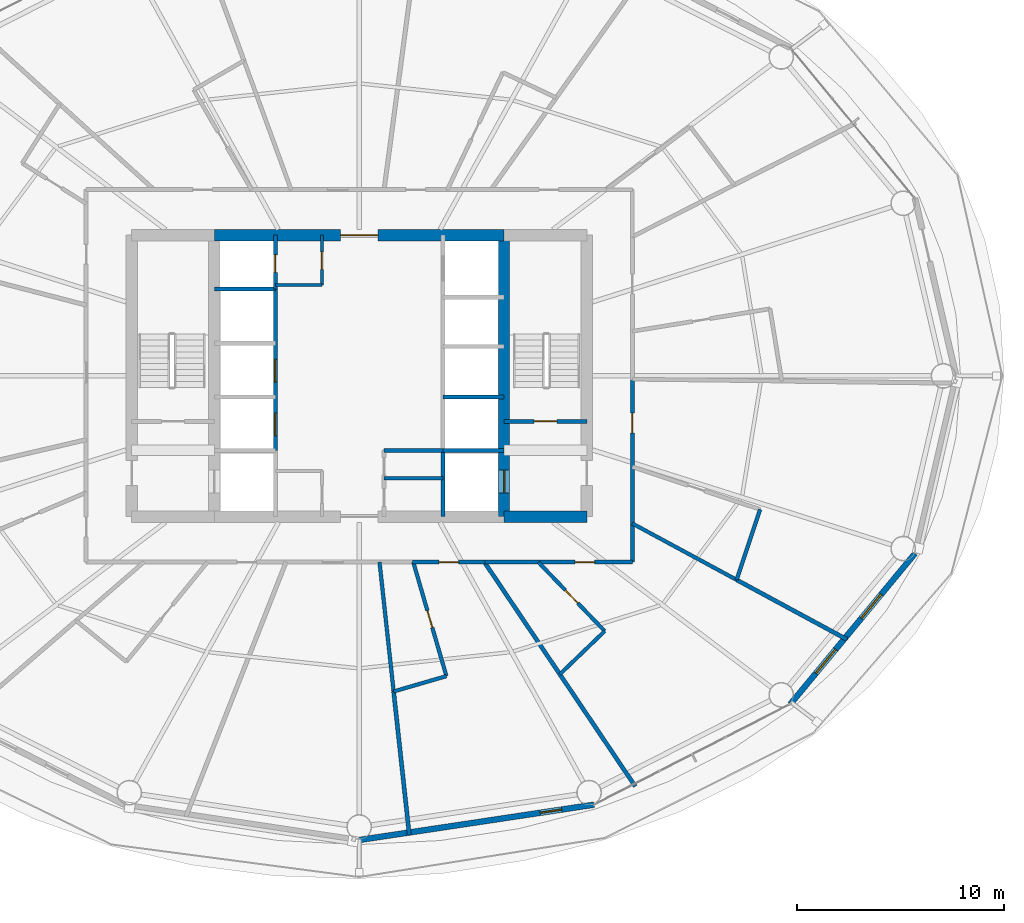
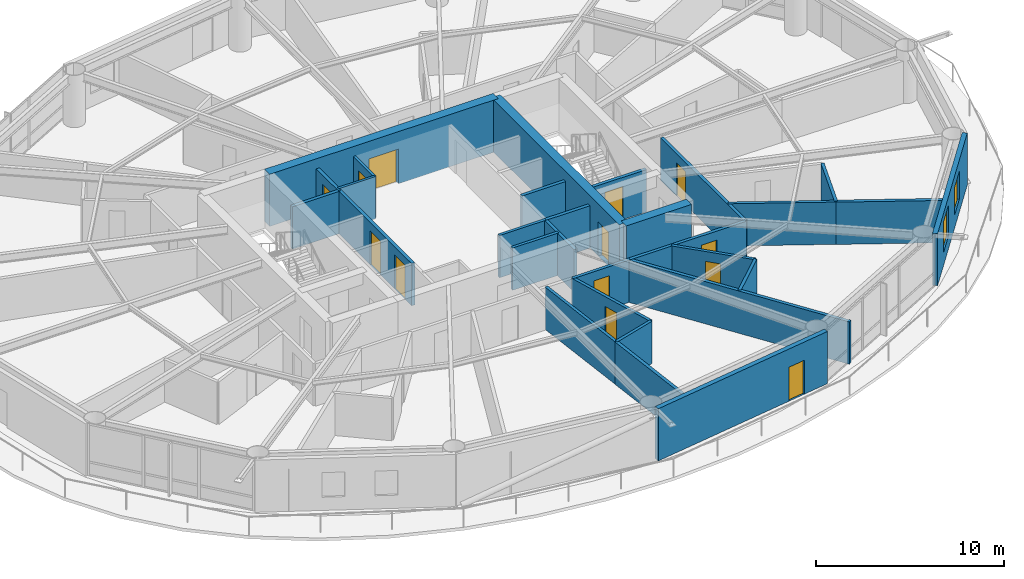
# One storey, part 19 of 24: 29 walls, 13 doors, 2 windows, 15 openings.
"""IFC4 building model written with IfcOpenShell, lengths in metres."""

from ifc_helpers import new_model, si_unit, direction, frame, frame_2d, origin, place, context, subcontext, project, spatial, rectangle, extrude, material, layer, layer_set, type_object, element, fill, save


model = new_model("IFC4")

# Units and contexts
model_context = context("Model", 3, precision=1e-05, world=origin(), true_north=direction((0.0, 1.0)))
body_context = subcontext(model_context, "Body", "Model", "MODEL_VIEW")
ifc_project = project(units=[si_unit("LENGTHUNIT", "METRE"), si_unit("AREAUNIT", "SQUARE_METRE"), si_unit("VOLUMEUNIT", "CUBIC_METRE"), si_unit("PLANEANGLEUNIT", "RADIAN"), si_unit("MASSUNIT", "GRAM", prefix="KILO")], contexts=[model_context])

# Site, building, storey
site_placement = place(None, origin())
site = spatial("IfcSite", under=ifc_project, at=site_placement, CompositionType="ELEMENT")
building_placement = place(site_placement, origin())
building = spatial("IfcBuilding", under=site, at=building_placement, Name="Sarneth Arch Tower", CompositionType="ELEMENT")
storey_placement = place(building_placement, frame((0.0, 0.0, 112.800048828125)))
storey = spatial("IfcBuildingStorey", under=building, at=storey_placement, Name="L28", CompositionType="ELEMENT", Elevation=112.800048828125)

# Wall
ifc_material_1 = material(Name="Concrete C60/75", Category="concrete")
ifc_layer_1 = layer(ifc_material_1, 0.550048828125)
ifc_layer_set_1 = layer_set([ifc_layer_1], Name="Concrete C60/75")
wall_type_1 = type_object("IfcWallType", Name="WALL-CORE-550", PredefinedType="SHEAR", material=ifc_layer_set_1)
wall_1_placement = place(storey_placement, frame((55.0, 35.199951171875, 0.0), z_axis=(0.0, 0.0, 1.0), x_axis=(1.0, 0.0, 0.0)))
element("IfcWall", 1, at=wall_1_placement, inside=storey, type_object=wall_type_1, Name="L28 Core shear wall S-E", PredefinedType="SHEAR", context=body_context, shape_type="SweptSolid", body=[
    extrude(rectangle(XDim=4.0, YDim=0.550048828125, at=frame_2d((2.0, 0.0))), origin(), (0.0, 0.0, 1.0), 3.3798828125),
])

# Wall, opening, door
wall_2_placement = place(storey_placement, frame((41.0, 48.800048828125, 0.0), z_axis=(0.0, 0.0, 1.0), x_axis=(1.0, 0.0, 0.0)))
wall_2 = element("IfcWall", 2, at=wall_2_placement, inside=storey, type_object=wall_type_1, Name="L28 Core shear wall N-M", PredefinedType="SHEAR", context=body_context, shape_type="SweptSolid", body=[
    extrude(rectangle(XDim=14.0, YDim=0.550048828125, at=frame_2d((7.0, 0.0))), origin(), (0.0, 0.0, 1.0), 3.3798828125),
])
opening_1_placement = place(wall_2_placement, frame((6.10009765625, 0.0, 0.0)))
opening_1 = element("IfcOpeningElement", 3, at=opening_1_placement, cuts=wall_2, Name="Opening FD-01", PredefinedType="OPENING", context=body_context, shape_type="SweptSolid", body=[
    extrude(rectangle(XDim=1.800048828125, YDim=2.25, at=frame_2d((0.89990234375, 1.125))), frame((0.0, 0.284912109375, 0.0), z_axis=(0.0, -1.0, 0.0), x_axis=(1.0, 0.0, 0.0)), (0.0, 0.0, 1.0), 0.570068359375),
])
ifc_material_2 = material(Name="Galvanised Steel S275 fire door set", Category="steel")
door_type_1 = type_object("IfcDoorType", Name="DR-FD90-1800", OperationType="DOUBLE_DOOR_SINGLE_SWING", PredefinedType="DOOR", material=ifc_material_2)
door_1_placement = place(opening_1_placement, origin())
door_1 = element("IfcDoor", 4, at=door_1_placement, inside=storey, type_object=door_type_1, Name="L28 Central lift lobby north door", OperationType="DOUBLE_DOOR_SINGLE_SWING", OverallHeight=2.25, OverallWidth=1.800048828125, PredefinedType="DOOR", context=body_context, shape_type="SweptSolid", body=[
    extrude(rectangle(XDim=1.800048828125, YDim=2.25, at=frame_2d((0.89990234375, 1.125))), frame((0.0, 0.02490234375, 0.0), z_axis=(0.0, -1.0, 0.0), x_axis=(1.0, 0.0, 0.0)), (0.0, 0.0, 1.0), 0.050048828125),
])
fill(opening_1, door_1)

wall_3_placement = place(storey_placement, frame((55.0, 35.199951171875, 0.0), z_axis=(0.0, 0.0, 1.0), x_axis=(0.0, 1.0, 0.0)))
wall_3 = element("IfcWall", 5, at=wall_3_placement, inside=storey, type_object=wall_type_1, Name="L28 Core shear wall WEB-E", PredefinedType="SHEAR", context=body_context, shape_type="SweptSolid", body=[
    extrude(rectangle(XDim=13.60009765625, YDim=0.550048828125, at=frame_2d((6.800048828125, 0.0))), origin(), (0.0, 0.0, 1.0), 3.3798828125),
])
opening_2_placement = place(wall_3_placement, frame((1.14990234375, 0.0, 0.0)))
opening_2 = element("IfcOpeningElement", 6, at=opening_2_placement, cuts=wall_3, Name="Opening LD-1", PredefinedType="OPENING", context=body_context, shape_type="SweptSolid", body=[
    extrude(rectangle(XDim=1.10009765625, YDim=2.199951171875, at=frame_2d((0.550048828125, 1.10009765625))), frame((0.0, 0.284912109375, 0.0), z_axis=(0.0, -1.0, 0.0), x_axis=(1.0, 0.0, 0.0)), (0.0, 0.0, 1.0), 0.570068359375),
])
ifc_material_3 = material(Name="Brushed Stainless Steel 304 lift landing door", Category="steel")
door_type_2 = type_object("IfcDoorType", Name="DR-LIFT-SLIDE-1100", OperationType="SLIDING_TO_LEFT", PredefinedType="DOOR", material=ifc_material_3)
door_2_placement = place(opening_2_placement, origin())
door_2 = element("IfcDoor", 7, at=door_2_placement, inside=storey, type_object=door_type_2, Name="L28 Firefighting lift landing door FL-2", OperationType="SLIDING_TO_RIGHT", OverallHeight=2.199951171875, OverallWidth=1.10009765625, PredefinedType="DOOR", context=body_context, shape_type="SweptSolid", body=[
    extrude(rectangle(XDim=1.10009765625, YDim=2.199951171875, at=frame_2d((0.550048828125, 1.10009765625))), frame((0.0, 0.02490234375, 0.0), z_axis=(0.0, -1.0, 0.0), x_axis=(1.0, 0.0, 0.0)), (0.0, 0.0, 1.0), 0.050048828125),
])
fill(opening_2, door_2)

ifc_material_4 = material(Name="Double steel-stud corridor fire wall", Category="steel")
ifc_layer_2 = layer(ifc_material_4, 0.18994140625)
ifc_layer_set_2 = layer_set([ifc_layer_2], Name="Double steel-stud corridor fire wall")
wall_type_2 = type_object("IfcWallType", Name="WALL-CORR-190", PredefinedType="PARTITIONING", material=ifc_layer_set_2)
wall_4_placement = place(storey_placement, frame((61.199951171875, 33.0, 0.0), z_axis=(0.0, 0.0, 1.0), x_axis=(-1.0, 0.0, 0.0)))
wall_4 = element("IfcWall", 8, at=wall_4_placement, inside=storey, type_object=wall_type_2, Name="L28 Interior partition W-L28-TP-022", PredefinedType="PARTITIONING", context=body_context, shape_type="SweptSolid", body=[
    extrude(rectangle(XDim=7.185546875, YDim=0.18994140625, at=frame_2d((3.5927734375, 0.0))), origin(), (0.0, 0.0, 1.0), 2.739990234375),
])
opening_3_placement = place(wall_4_placement, frame((1.81787109375, 0.0, 0.0)))
opening_3 = element("IfcOpeningElement", 9, at=opening_3_placement, cuts=wall_4, Name="Opening FD-09", PredefinedType="OPENING", context=body_context, shape_type="SweptSolid", body=[
    extrude(rectangle(XDim=0.949951171875, YDim=2.14990234375, at=frame_2d((0.47509765625, 1.074951171875))), frame((0.0, 0.10498046875, 0.0), z_axis=(0.0, -1.0, 0.0), x_axis=(1.0, 0.0, 0.0)), (0.0, 0.0, 1.0), 0.2099609375),
])
ifc_material_5 = material(Name="Hardwood timber hotel entrance fire door", Category="wood")
door_type_3 = type_object("IfcDoorType", Name="DR-FD60-950", OperationType="SINGLE_SWING_RIGHT", PredefinedType="DOOR", material=ifc_material_5)
door_3_placement = place(opening_3_placement, origin())
door_3 = element("IfcDoor", 10, at=door_3_placement, inside=storey, type_object=door_type_3, Name="L28 Interior door DR-L28-KEY-11", OperationType="SINGLE_SWING_LEFT", OverallHeight=2.14990234375, OverallWidth=0.949951171875, PredefinedType="DOOR", context=body_context, shape_type="SweptSolid", body=[
    extrude(rectangle(XDim=0.949951171875, YDim=2.14990234375, at=frame_2d((0.47509765625, 1.074951171875))), frame((0.0, 0.02490234375, 0.0), z_axis=(0.0, -1.0, 0.0), x_axis=(1.0, 0.0, 0.0)), (0.0, 0.0, 1.0), 0.050048828125),
])
fill(opening_3, door_3)

wall_5_placement = place(storey_placement, frame((61.199951171875, 41.87255859375, 0.0), z_axis=(0.0, 0.0, 1.0), x_axis=(0.0, -1.0, 0.0)))
wall_5 = element("IfcWall", 11, at=wall_5_placement, inside=storey, type_object=wall_type_2, Name="L28 Interior partition W-L28-TP-024", PredefinedType="PARTITIONING", context=body_context, shape_type="SweptSolid", body=[
    extrude(rectangle(XDim=8.87255859375, YDim=0.18994140625, at=frame_2d((4.436279296875, 0.0))), origin(), (0.0, 0.0, 1.0), 2.739990234375),
])
opening_4_placement = place(wall_5_placement, frame((1.675537109375, 0.0, 0.0)))
opening_4 = element("IfcOpeningElement", 12, at=opening_4_placement, cuts=wall_5, Name="Opening FD-09", PredefinedType="OPENING", context=body_context, shape_type="SweptSolid", body=[
    extrude(rectangle(XDim=0.949951171875, YDim=2.14990234375, at=frame_2d((0.47509765625, 1.074951171875))), frame((0.0, 0.10498046875, 0.0), z_axis=(0.0, -1.0, 0.0), x_axis=(1.0, 0.0, 0.0)), (0.0, 0.0, 1.0), 0.2099609375),
])
door_4_placement = place(opening_4_placement, origin())
door_4 = element("IfcDoor", 13, at=door_4_placement, inside=storey, type_object=door_type_3, Name="L28 Interior door DR-L28-KEY-12", OperationType="SINGLE_SWING_RIGHT", OverallHeight=2.14990234375, OverallWidth=0.949951171875, PredefinedType="DOOR", context=body_context, shape_type="SweptSolid", body=[
    extrude(rectangle(XDim=0.949951171875, YDim=2.14990234375, at=frame_2d((0.47509765625, 1.074951171875))), frame((0.0, 0.02490234375, 0.0), z_axis=(0.0, -1.0, 0.0), x_axis=(1.0, 0.0, 0.0)), (0.0, 0.0, 1.0), 0.050048828125),
])
fill(opening_4, door_4)

wall_6_placement = place(storey_placement, frame((54.091552734375, 33.0, 0.0), z_axis=(0.0, 0.0, 1.0), x_axis=(-1.0, 0.0, 0.0)))
wall_6 = element("IfcWall", 14, at=wall_6_placement, inside=storey, type_object=wall_type_2, Name="L28 Interior partition W-L28-TP-019", PredefinedType="PARTITIONING", context=body_context, shape_type="SweptSolid", body=[
    extrude(rectangle(XDim=3.51025390625, YDim=0.18994140625, at=frame_2d((1.755126953125, 0.0))), origin(), (0.0, 0.0, 1.0), 2.739990234375),
])
opening_5_placement = place(wall_6_placement, frame((1.280029296875, 0.0, 0.0)))
opening_5 = element("IfcOpeningElement", 15, at=opening_5_placement, cuts=wall_6, Name="Opening FD-09", PredefinedType="OPENING", context=body_context, shape_type="SweptSolid", body=[
    extrude(rectangle(XDim=0.949951171875, YDim=2.14990234375, at=frame_2d((0.47509765625, 1.074951171875))), frame((0.0, 0.10498046875, 0.0), z_axis=(0.0, -1.0, 0.0), x_axis=(1.0, 0.0, 0.0)), (0.0, 0.0, 1.0), 0.2099609375),
])
door_5_placement = place(opening_5_placement, origin())
door_5 = element("IfcDoor", 16, at=door_5_placement, inside=storey, type_object=door_type_3, Name="L28 Interior door DR-L28-KEY-10", OperationType="SINGLE_SWING_LEFT", OverallHeight=2.14990234375, OverallWidth=0.949951171875, PredefinedType="DOOR", context=body_context, shape_type="SweptSolid", body=[
    extrude(rectangle(XDim=0.949951171875, YDim=2.14990234375, at=frame_2d((0.47509765625, 1.074951171875))), frame((0.0, 0.02490234375, 0.0), z_axis=(0.0, -1.0, 0.0), x_axis=(1.0, 0.0, 0.0)), (0.0, 0.0, 1.0), 0.050048828125),
])
fill(opening_5, door_5)

ifc_material_6 = material(Name="Extruded terracotta rainscreen on Concrete C40/50 backing", Category="masonry")
ifc_layer_3 = layer(ifc_material_6, 0.280029296875)
ifc_layer_set_3 = layer_set([ifc_layer_3], Name="Extruded terracotta rainscreen on Concrete C40/50 backing")
wall_type_3 = type_object("IfcWallType", Name="WALL-EXT-TERRA-280", PredefinedType="SOLIDWALL", material=ifc_layer_set_3)
wall_7_placement = place(storey_placement, frame((48.0, 19.570068359375, 0.0), z_axis=(0.0, 0.0, 1.0), x_axis=(0.988877774656, 0.148730450117, 0.0)))
wall_7 = element("IfcWall", 17, at=wall_7_placement, inside=storey, type_object=wall_type_3, Name="L28 Terracotta perimeter wall 13", PredefinedType="SOLIDWALL", context=body_context, shape_type="SweptSolid", body=[
    extrude(rectangle(XDim=11.47900390625, YDim=0.280029296875, at=frame_2d((5.739501953125, 0.0))), origin(), (0.0, 0.0, 1.0), 3.3798828125),
])
opening_6_placement = place(wall_7_placement, frame((8.84716796875, 0.0, 0.0)))
opening_6 = element("IfcOpeningElement", 18, at=opening_6_placement, cuts=wall_7, Name="Opening BD-4", PredefinedType="OPENING", context=body_context, shape_type="SweptSolid", body=[
    extrude(rectangle(XDim=1.050048828125, YDim=2.199951171875, at=frame_2d((0.52490234375, 1.10009765625))), frame((0.0, 0.14990234375, 0.0), z_axis=(0.0, -1.0, 0.0), x_axis=(1.0, 0.0, 0.0)), (0.0, 0.0, 1.0), 0.300048828125),
])
ifc_material_7 = material(Name="Thermally broken Aluminium 6063-T6 and laminated safety glass", Category="aluminium")
door_type_4 = type_object("IfcDoorType", Name="DR-BALC-GLZ-1050", OperationType="SINGLE_SWING_RIGHT", PredefinedType="DOOR", material=ifc_material_7)
door_6_placement = place(opening_6_placement, origin())
door_6 = element("IfcDoor", 19, at=door_6_placement, inside=storey, type_object=door_type_4, Name="L28 Balcony glazed door 13", OperationType="SINGLE_SWING_RIGHT", OverallHeight=2.199951171875, OverallWidth=1.050048828125, PredefinedType="DOOR", context=body_context, shape_type="SweptSolid", body=[
    extrude(rectangle(XDim=1.050048828125, YDim=2.199951171875, at=frame_2d((0.52490234375, 1.10009765625))), frame((0.0, 0.02490234375, 0.0), z_axis=(0.0, -1.0, 0.0), x_axis=(1.0, 0.0, 0.0)), (0.0, 0.0, 1.0), 0.050048828125),
])
fill(opening_6, door_6)

# Wall, openings, windows
wall_8_placement = place(storey_placement, frame((68.840087890625, 26.1396484375, 0.0), z_axis=(0.0, 0.0, 1.0), x_axis=(0.637505817448, 0.770445541696, 0.0)))
wall_8 = element("IfcWall", 20, at=wall_8_placement, inside=storey, type_object=wall_type_3, Name="L28 Terracotta perimeter wall 15", PredefinedType="SOLIDWALL", context=body_context, shape_type="SweptSolid", body=[
    extrude(rectangle(XDim=9.445068359375, YDim=0.280029296875, at=frame_2d((4.72265625, 0.0))), origin(), (0.0, 0.0, 1.0), 3.3798828125),
])
opening_7_placement = place(wall_8_placement, frame((1.929931640625, 0.0, 0.85009765625)))
opening_7 = element("IfcOpeningElement", 21, at=opening_7_placement, cuts=wall_8, Name="Opening W-06", PredefinedType="OPENING", context=body_context, shape_type="SweptSolid", body=[
    extrude(rectangle(XDim=1.5, YDim=2.0, at=frame_2d((0.75, 1.0))), frame((0.0, 0.14990234375, 0.0), z_axis=(0.0, -1.0, 0.0), x_axis=(1.0, 0.0, 0.0)), (0.0, 0.0, 1.0), 0.300048828125),
])
opening_8_placement = place(wall_8_placement, frame((5.383056640625, 0.0, 0.85009765625)))
opening_8 = element("IfcOpeningElement", 22, at=opening_8_placement, cuts=wall_8, Name="Opening W-07", PredefinedType="OPENING", context=body_context, shape_type="SweptSolid", body=[
    extrude(rectangle(XDim=1.5, YDim=1.800048828125, at=frame_2d((0.75, 0.89990234375))), frame((0.0, 0.14990234375, 0.0), z_axis=(0.0, -1.0, 0.0), x_axis=(1.0, 0.0, 0.0)), (0.0, 0.0, 1.0), 0.300048828125),
])
ifc_material_8 = material(Name="Thermally broken Aluminium 6063-T6 and low-e laminated IGU", Category="aluminium")
window_type_1 = type_object("IfcWindowType", Name="WIN-TWR-1500x1800", PartitioningType="SINGLE_PANEL", PredefinedType="WINDOW", material=ifc_material_8)
window_1_placement = place(opening_8_placement, origin())
window_1 = element("IfcWindow", 23, at=window_1_placement, inside=storey, type_object=window_type_1, Name="L28 Exterior window 15B", OverallHeight=1.800048828125, OverallWidth=1.5, PartitioningType="SINGLE_PANEL", PredefinedType="WINDOW", context=body_context, shape_type="SweptSolid", body=[
    extrude(rectangle(XDim=1.5, YDim=1.800048828125, at=frame_2d((0.75, 0.89990234375))), frame((0.0, 0.030029296875, 0.0), z_axis=(0.0, -1.0, 0.0), x_axis=(1.0, 0.0, 0.0)), (0.0, 0.0, 1.0), 0.06005859375),
])
fill(opening_8, window_1)
ifc_material_9 = material(Name="Thermally broken Aluminium 6063-T6 and low-e laminated IGU", Category="aluminium")
window_type_2 = type_object("IfcWindowType", Name="WIN-TWR-1500x2000", PartitioningType="SINGLE_PANEL", PredefinedType="WINDOW", material=ifc_material_9)
window_2_placement = place(opening_7_placement, origin())
window_2 = element("IfcWindow", 24, at=window_2_placement, inside=storey, type_object=window_type_2, Name="L28 Exterior window 15A", OverallHeight=2.0, OverallWidth=1.5, PartitioningType="SINGLE_PANEL", PredefinedType="WINDOW", context=body_context, shape_type="SweptSolid", body=[
    extrude(rectangle(XDim=1.5, YDim=2.0, at=frame_2d((0.75, 1.0))), frame((0.0, 0.030029296875, 0.0), z_axis=(0.0, -1.0, 0.0), x_axis=(1.0, 0.0, 0.0)), (0.0, 0.0, 1.0), 0.06005859375),
])
fill(opening_7, window_2)

# Wall
ifc_material_10 = material(Name="Acoustic gypsum stud partition", Category="gypsum")
ifc_layer_4 = layer(ifc_material_10, 0.14990234375)
ifc_layer_set_4 = layer_set([ifc_layer_4], Name="Acoustic gypsum stud partition")
wall_type_4 = type_object("IfcWallType", Name="WALL-PART-150", PredefinedType="PARTITIONING", material=ifc_layer_set_4)
wall_9_placement = place(storey_placement, frame((43.949951171875, 46.39990234375, 0.0), z_axis=(0.0, 0.0, 1.0), x_axis=(1.0, 0.0, 0.0)))
element("IfcWall", 25, at=wall_9_placement, inside=storey, type_object=wall_type_4, Name="L28 Interior partition W-L28-CSUP2-S", PredefinedType="PARTITIONING", context=body_context, shape_type="SweptSolid", body=[
    extrude(rectangle(XDim=2.25, YDim=0.14990234375, at=frame_2d((1.125, 0.0))), origin(), (0.0, 0.0, 1.0), 2.739990234375),
])

# Wall, opening, door
wall_10_placement = place(storey_placement, frame((46.199951171875, 46.39990234375, 0.0), z_axis=(0.0, 0.0, 1.0), x_axis=(0.0, 1.0, 0.0)))
wall_10 = element("IfcWall", 26, at=wall_10_placement, inside=storey, type_object=wall_type_4, Name="L28 Interior partition W-L28-CSUP2-E", PredefinedType="PARTITIONING", context=body_context, shape_type="SweptSolid", body=[
    extrude(rectangle(XDim=2.400146484375, YDim=0.14990234375, at=frame_2d((1.2001953125, 0.0))), origin(), (0.0, 0.0, 1.0), 2.739990234375),
])
opening_9_placement = place(wall_10_placement, frame((0.75, 0.0, 0.0)))
opening_9 = element("IfcOpeningElement", 27, at=opening_9_placement, cuts=wall_10, Name="Opening FD-11", PredefinedType="OPENING", context=body_context, shape_type="SweptSolid", body=[
    extrude(rectangle(XDim=0.85009765625, YDim=2.14990234375, at=frame_2d((0.425048828125, 1.074951171875))), frame((0.0, 0.0849609375, 0.0), z_axis=(0.0, -1.0, 0.0), x_axis=(1.0, 0.0, 0.0)), (0.0, 0.0, 1.0), 0.169921875),
])
ifc_material_11 = material(Name="Galvanised Steel S275 closet fire door", Category="steel")
door_type_5 = type_object("IfcDoorType", Name="DR-FD60-850", OperationType="SINGLE_SWING_LEFT", PredefinedType="DOOR", material=ifc_material_11)
door_7_placement = place(opening_9_placement, origin())
door_7 = element("IfcDoor", 28, at=door_7_placement, inside=storey, type_object=door_type_5, Name="L28 Interior door DR-L28-CSUP2", OperationType="SINGLE_SWING_RIGHT", OverallHeight=2.14990234375, OverallWidth=0.85009765625, PredefinedType="DOOR", context=body_context, shape_type="SweptSolid", body=[
    extrude(rectangle(XDim=0.85009765625, YDim=2.14990234375, at=frame_2d((0.425048828125, 1.074951171875))), frame((0.0, 0.02490234375, 0.0), z_axis=(0.0, -1.0, 0.0), x_axis=(1.0, 0.0, 0.0)), (0.0, 0.0, 1.0), 0.050048828125),
])
fill(opening_9, door_7)

# Walls
ifc_material_12 = material(Name="Moisture-resistant plumbing chase wall", Category="gypsum")
ifc_layer_5 = layer(ifc_material_12, 0.179931640625)
ifc_layer_set_5 = layer_set([ifc_layer_5], Name="Moisture-resistant plumbing chase wall")
wall_type_5 = type_object("IfcWallType", Name="WALL-PLUMB-180", PredefinedType="PLUMBINGWALL", material=ifc_layer_set_5)
for number, where, z_axis, x_axis, name in (
    (29, (49.199951171875, 37.050048828125, 0.0), (0.0, 0.0, 1.0), (1.0, 0.0, 0.0), "L28 Interior partition W-L28-AWC-M"),
    (30, (49.199951171875, 38.39990234375, 0.0), (0.0, 0.0, 1.0), (1.0, 0.0, 0.0), "L28 Interior partition W-L28-AWC-N"),
):
    element("IfcWall", number, at=place(storey_placement, frame(where, z_axis=z_axis, x_axis=x_axis)), inside=storey, type_object=wall_type_5, Name=name, PredefinedType="PLUMBINGWALL", context=body_context, shape_type="SweptSolid", body=[
        extrude(rectangle(XDim=2.85009765625, YDim=0.179931640625, at=frame_2d((1.425048828125, 0.0))), origin(), (0.0, 0.0, 1.0), 2.739990234375),
    ])
wall_11_placement = place(storey_placement, frame((49.6650390625, 26.74951171875, 0.0), z_axis=(0.0, 0.0, 1.0), x_axis=(-0.108526347032, 0.99409357306, 0.0)))
element("IfcWall", 31, at=wall_11_placement, inside=storey, type_object=wall_type_5, Name="L28 Interior partition W-L28-TP-056", PredefinedType="PLUMBINGWALL", context=body_context, shape_type="SweptSolid", body=[
    extrude(rectangle(XDim=6.28759765625, YDim=0.179931640625, at=frame_2d((3.143798828125, 0.0))), origin(), (0.0, 0.0, 1.0), 2.739990234375),
])

# Wall, opening, door
wall_12_placement = place(storey_placement, frame((50.61474609375, 33.0, 0.0), z_axis=(0.0, 0.0, 1.0), x_axis=(0.278967165891, -0.960300640609, 0.0)))
wall_12 = element("IfcWall", 32, at=wall_12_placement, inside=storey, type_object=wall_type_5, Name="L28 Interior partition W-L28-TP-057", PredefinedType="PLUMBINGWALL", context=body_context, shape_type="SweptSolid", body=[
    extrude(rectangle(XDim=5.737548828125, YDim=0.179931640625, at=frame_2d((2.86865234375, 0.0))), origin(), (0.0, 0.0, 1.0), 2.739990234375),
])
opening_10_placement = place(wall_12_placement, frame((2.44384765625, 0.0, 0.0)))
opening_10 = element("IfcOpeningElement", 33, at=opening_10_placement, cuts=wall_12, Name="Opening ID-02", PredefinedType="OPENING", context=body_context, shape_type="SweptSolid", body=[
    extrude(rectangle(XDim=0.85009765625, YDim=2.10009765625, at=frame_2d((0.425048828125, 1.050048828125))), frame((0.0, 0.099853515625, 0.0), z_axis=(0.0, -1.0, 0.0), x_axis=(1.0, 0.0, 0.0)), (0.0, 0.0, 1.0), 0.199951171875),
])
ifc_material_13 = material(Name="Moisture-resistant bathroom timber door", Category="wood")
door_type_6 = type_object("IfcDoorType", Name="DR-INT-850", OperationType="SINGLE_SWING_RIGHT", PredefinedType="DOOR", material=ifc_material_13)
door_8_placement = place(opening_10_placement, origin())
door_8 = element("IfcDoor", 34, at=door_8_placement, inside=storey, type_object=door_type_6, Name="L28 Interior door DR-L28-ENS-10", OperationType="SINGLE_SWING_LEFT", OverallHeight=2.10009765625, OverallWidth=0.85009765625, PredefinedType="DOOR", context=body_context, shape_type="SweptSolid", body=[
    extrude(rectangle(XDim=0.85009765625, YDim=2.10009765625, at=frame_2d((0.425048828125, 1.050048828125))), frame((0.0, 0.02490234375, 0.0), z_axis=(0.0, -1.0, 0.0), x_axis=(1.0, 0.0, 0.0)), (0.0, 0.0, 1.0), 0.050048828125),
])
fill(opening_10, door_8)

# Wall
wall_13_placement = place(storey_placement, frame((66.242919921875, 32.142578125, 0.0), z_axis=(0.0, 0.0, 1.0), x_axis=(-0.879784992633, 0.475371819461, 0.0)))
element("IfcWall", 35, at=wall_13_placement, inside=storey, type_object=wall_type_5, Name="L28 Interior partition W-L28-TP-064", PredefinedType="PLUMBINGWALL", context=body_context, shape_type="SweptSolid", body=[
    extrude(rectangle(XDim=5.73193359375, YDim=0.179931640625, at=frame_2d((2.865966796875, 0.0))), origin(), (0.0, 0.0, 1.0), 2.739990234375),
])

# Wall, opening, door
wall_14_placement = place(storey_placement, frame((59.8662109375, 29.666015625, 0.0), z_axis=(0.0, 0.0, 1.0), x_axis=(-0.693306956927, 0.720642396392, 0.0)))
wall_14 = element("IfcWall", 36, at=wall_14_placement, inside=storey, type_object=wall_type_5, Name="L28 Interior partition W-L28-TP-062", PredefinedType="PLUMBINGWALL", context=body_context, shape_type="SweptSolid", body=[
    extrude(rectangle(XDim=4.62646484375, YDim=0.179931640625, at=frame_2d((2.313232421875, 0.0))), origin(), (0.0, 0.0, 1.0), 2.739990234375),
])
opening_11_placement = place(wall_14_placement, frame((1.88818359375, 0.0, 0.0)))
opening_11 = element("IfcOpeningElement", 37, at=opening_11_placement, cuts=wall_14, Name="Opening ID-02", PredefinedType="OPENING", context=body_context, shape_type="SweptSolid", body=[
    extrude(rectangle(XDim=0.85009765625, YDim=2.10009765625, at=frame_2d((0.425048828125, 1.050048828125))), frame((0.0, 0.099853515625, 0.0), z_axis=(0.0, -1.0, 0.0), x_axis=(1.0, 0.0, 0.0)), (0.0, 0.0, 1.0), 0.199951171875),
])
door_9_placement = place(opening_11_placement, origin())
door_9 = element("IfcDoor", 38, at=door_9_placement, inside=storey, type_object=door_type_6, Name="L28 Interior door DR-L28-ENS-11", OperationType="SINGLE_SWING_LEFT", OverallHeight=2.10009765625, OverallWidth=0.85009765625, PredefinedType="DOOR", context=body_context, shape_type="SweptSolid", body=[
    extrude(rectangle(XDim=0.85009765625, YDim=2.10009765625, at=frame_2d((0.425048828125, 1.050048828125))), frame((0.0, 0.02490234375, 0.0), z_axis=(0.0, -1.0, 0.0), x_axis=(1.0, 0.0, 0.0)), (0.0, 0.0, 1.0), 0.050048828125),
])
fill(opening_11, door_9)

# Walls
wall_15_placement = place(storey_placement, frame((67.376708984375, 35.54833984375, 0.0), z_axis=(0.0, 0.0, 1.0), x_axis=(-0.315860462711, -0.948805653491, 0.0)))
element("IfcWall", 39, at=wall_15_placement, inside=storey, type_object=wall_type_5, Name="L28 Interior partition W-L28-TP-066", PredefinedType="PLUMBINGWALL", context=body_context, shape_type="SweptSolid", body=[
    extrude(rectangle(XDim=3.589599609375, YDim=0.179931640625, at=frame_2d((1.794921875, 0.0))), origin(), (0.0, 0.0, 1.0), 2.739990234375),
])
wall_16_placement = place(storey_placement, frame((57.697998046875, 27.580322265625, 0.0), z_axis=(0.0, 0.0, 1.0), x_axis=(0.720688028056, 0.693259522991, 0.0)))
element("IfcWall", 40, at=wall_16_placement, inside=storey, type_object=wall_type_5, Name="L28 Interior partition W-L28-TP-061", PredefinedType="PLUMBINGWALL", context=body_context, shape_type="SweptSolid", body=[
    extrude(rectangle(XDim=3.008544921875, YDim=0.179931640625, at=frame_2d((1.50439453125, 0.0))), origin(), (0.0, 0.0, 1.0), 2.739990234375),
])
wall_17_placement = place(storey_placement, frame((52.21533203125, 27.490234375, 0.0), z_axis=(0.0, 0.0, 1.0), x_axis=(-0.960314459225, -0.278919593078, 0.0)))
element("IfcWall", 41, at=wall_17_placement, inside=storey, type_object=wall_type_5, Name="L28 Interior partition W-L28-TP-058", PredefinedType="PLUMBINGWALL", context=body_context, shape_type="SweptSolid", body=[
    extrude(rectangle(XDim=2.65576171875, YDim=0.179931640625, at=frame_2d((1.327880859375, 0.0))), origin(), (0.0, 0.0, 1.0), 2.739990234375),
])

# Wall, opening, door
ifc_material_14 = material(Name="Aerated concrete blockwork C25/30", Category="masonry")
ifc_layer_6 = layer(ifc_material_14, 0.199951171875)
ifc_layer_set_6 = layer_set([ifc_layer_6], Name="Aerated concrete blockwork C25/30")
wall_type_6 = type_object("IfcWallType", Name="WALL-SHAFT-200", PredefinedType="SOLIDWALL", material=ifc_layer_set_6)
wall_18_placement = place(storey_placement, frame((55.0, 39.800048828125, 0.0), z_axis=(0.0, 0.0, 1.0), x_axis=(1.0, 0.0, 0.0)))
wall_18 = element("IfcWall", 42, at=wall_18_placement, inside=storey, type_object=wall_type_6, Name="L28 Interior partition W-L28-ST2-S", PredefinedType="SOLIDWALL", context=body_context, shape_type="SweptSolid", body=[
    extrude(rectangle(XDim=4.0, YDim=0.199951171875, at=frame_2d((2.0, 0.0))), origin(), (0.0, 0.0, 1.0), 2.739990234375),
])
opening_12_placement = place(wall_18_placement, frame((1.449951171875, 0.0, 0.0)))
opening_12 = element("IfcOpeningElement", 43, at=opening_12_placement, cuts=wall_18, Name="Opening FD-03", PredefinedType="OPENING", context=body_context, shape_type="SweptSolid", body=[
    extrude(rectangle(XDim=1.10009765625, YDim=2.14990234375, at=frame_2d((0.550048828125, 1.074951171875))), frame((0.0, 0.10986328125, 0.0), z_axis=(0.0, -1.0, 0.0), x_axis=(1.0, 0.0, 0.0)), (0.0, 0.0, 1.0), 0.219970703125),
])
ifc_material_15 = material(Name="Galvanised Steel S275 fire door set", Category="steel")
door_type_7 = type_object("IfcDoorType", Name="DR-FD90-1100", OperationType="SINGLE_SWING_LEFT", PredefinedType="DOOR", material=ifc_material_15)
door_10_placement = place(opening_12_placement, origin())
door_10 = element("IfcDoor", 44, at=door_10_placement, inside=storey, type_object=door_type_7, Name="L28 Interior door DR-L28-ST2", OperationType="SINGLE_SWING_RIGHT", OverallHeight=2.14990234375, OverallWidth=1.10009765625, PredefinedType="DOOR", context=body_context, shape_type="SweptSolid", body=[
    extrude(rectangle(XDim=1.10009765625, YDim=2.14990234375, at=frame_2d((0.550048828125, 1.074951171875))), frame((0.0, 0.02490234375, 0.0), z_axis=(0.0, -1.0, 0.0), x_axis=(1.0, 0.0, 0.0)), (0.0, 0.0, 1.0), 0.050048828125),
])
fill(opening_12, door_10)

# Walls
wall_19_placement = place(storey_placement, frame((52.050048828125, 35.199951171875, 0.0), z_axis=(0.0, 0.0, 1.0), x_axis=(0.0, 1.0, 0.0)))
element("IfcWall", 45, at=wall_19_placement, inside=storey, type_object=wall_type_6, Name="L28 Interior partition W-L28-FL2-W", PredefinedType="SOLIDWALL", context=body_context, shape_type="SweptSolid", body=[
    extrude(rectangle(XDim=3.199951171875, YDim=0.199951171875, at=frame_2d((1.60009765625, 0.0))), origin(), (0.0, 0.0, 1.0), 2.739990234375),
])
for number, where, z_axis, x_axis, name in (
    (46, (52.050048828125, 38.39990234375, 0.0), (0.0, 0.0, 1.0), (1.0, 0.0, 0.0), "L28 Interior partition W-L28-FL2-N"),
    (47, (41.0, 46.199951171875, 0.0), (0.0, 0.0, 1.0), (1.0, 0.0, 0.0), "L28 Interior partition W-L28-RISER-S"),
):
    element("IfcWall", number, at=place(storey_placement, frame(where, z_axis=z_axis, x_axis=x_axis)), inside=storey, type_object=wall_type_6, Name=name, PredefinedType="SOLIDWALL", context=body_context, shape_type="SweptSolid", body=[
        extrude(rectangle(XDim=2.949951171875, YDim=0.199951171875, at=frame_2d((1.47509765625, 0.0))), origin(), (0.0, 0.0, 1.0), 2.739990234375),
    ])

# Wall, opening, door
wall_20_placement = place(storey_placement, frame((43.949951171875, 46.199951171875, 0.0), z_axis=(0.0, 0.0, 1.0), x_axis=(0.0, 1.0, 0.0)))
wall_20 = element("IfcWall", 48, at=wall_20_placement, inside=storey, type_object=wall_type_6, Name="L28 Interior partition W-L28-RISER-E", PredefinedType="SOLIDWALL", context=body_context, shape_type="SweptSolid", body=[
    extrude(rectangle(XDim=2.60009765625, YDim=0.199951171875, at=frame_2d((1.300048828125, 0.0))), origin(), (0.0, 0.0, 1.0), 2.739990234375),
])
opening_13_placement = place(wall_20_placement, frame((0.800048828125, 0.0, 0.0)))
opening_13 = element("IfcOpeningElement", 49, at=opening_13_placement, cuts=wall_20, Name="Opening FD-11", PredefinedType="OPENING", context=body_context, shape_type="SweptSolid", body=[
    extrude(rectangle(XDim=0.85009765625, YDim=2.14990234375, at=frame_2d((0.425048828125, 1.074951171875))), frame((0.0, 0.10986328125, 0.0), z_axis=(0.0, -1.0, 0.0), x_axis=(1.0, 0.0, 0.0)), (0.0, 0.0, 1.0), 0.219970703125),
])
door_11_placement = place(opening_13_placement, origin())
door_11 = element("IfcDoor", 50, at=door_11_placement, inside=storey, type_object=door_type_5, Name="L28 Lift landing door DR-L28-RISER", OperationType="SINGLE_SWING_LEFT", OverallHeight=2.14990234375, OverallWidth=0.85009765625, PredefinedType="DOOR", context=body_context, shape_type="SweptSolid", body=[
    extrude(rectangle(XDim=0.85009765625, YDim=2.14990234375, at=frame_2d((0.425048828125, 1.074951171875))), frame((0.0, 0.02490234375, 0.0), z_axis=(0.0, -1.0, 0.0), x_axis=(1.0, 0.0, 0.0)), (0.0, 0.0, 1.0), 0.050048828125),
])
fill(opening_13, door_11)

# Wall, openings, doors
wall_21_placement = place(storey_placement, frame((43.949951171875, 38.39990234375, 0.0), z_axis=(0.0, 0.0, 1.0), x_axis=(0.0, 1.0, 0.0)))
wall_21 = element("IfcWall", 51, at=wall_21_placement, inside=storey, type_object=wall_type_6, Name="L28 Interior partition W-L28-WESTBANK-FRONT", PredefinedType="SOLIDWALL", context=body_context, shape_type="SweptSolid", body=[
    extrude(rectangle(XDim=7.800048828125, YDim=0.199951171875, at=frame_2d((3.89990234375, 0.0))), origin(), (0.0, 0.0, 1.0), 2.739990234375),
])
opening_14_placement = place(wall_21_placement, frame((0.699951171875, 0.0, 0.0)))
opening_14 = element("IfcOpeningElement", 52, at=opening_14_placement, cuts=wall_21, Name="Opening LD-1", PredefinedType="OPENING", context=body_context, shape_type="SweptSolid", body=[
    extrude(rectangle(XDim=1.10009765625, YDim=2.199951171875, at=frame_2d((0.550048828125, 1.10009765625))), frame((0.0, 0.10986328125, 0.0), z_axis=(0.0, -1.0, 0.0), x_axis=(1.0, 0.0, 0.0)), (0.0, 0.0, 1.0), 0.219970703125),
])
opening_15_placement = place(wall_21_placement, frame((3.300048828125, 0.0, 0.0)))
opening_15 = element("IfcOpeningElement", 53, at=opening_15_placement, cuts=wall_21, Name="Opening LD-1", PredefinedType="OPENING", context=body_context, shape_type="SweptSolid", body=[
    extrude(rectangle(XDim=1.10009765625, YDim=2.199951171875, at=frame_2d((0.550048828125, 1.10009765625))), frame((0.0, 0.10986328125, 0.0), z_axis=(0.0, -1.0, 0.0), x_axis=(1.0, 0.0, 0.0)), (0.0, 0.0, 1.0), 0.219970703125),
])
door_12_placement = place(opening_14_placement, origin())
door_12 = element("IfcDoor", 54, at=door_12_placement, inside=storey, type_object=door_type_2, Name="L28 Lift landing door DR-L28-LD-PL1", OperationType="SLIDING_TO_LEFT", OverallHeight=2.199951171875, OverallWidth=1.10009765625, PredefinedType="DOOR", context=body_context, shape_type="SweptSolid", body=[
    extrude(rectangle(XDim=1.10009765625, YDim=2.199951171875, at=frame_2d((0.550048828125, 1.10009765625))), frame((0.0, 0.02490234375, 0.0), z_axis=(0.0, -1.0, 0.0), x_axis=(1.0, 0.0, 0.0)), (0.0, 0.0, 1.0), 0.050048828125),
])
fill(opening_14, door_12)
door_13_placement = place(opening_15_placement, origin())
door_13 = element("IfcDoor", 55, at=door_13_placement, inside=storey, type_object=door_type_2, Name="L28 Lift landing door DR-L28-LD-PL2", OperationType="SLIDING_TO_RIGHT", OverallHeight=2.199951171875, OverallWidth=1.10009765625, PredefinedType="DOOR", context=body_context, shape_type="SweptSolid", body=[
    extrude(rectangle(XDim=1.10009765625, YDim=2.199951171875, at=frame_2d((0.550048828125, 1.10009765625))), frame((0.0, 0.02490234375, 0.0), z_axis=(0.0, -1.0, 0.0), x_axis=(1.0, 0.0, 0.0)), (0.0, 0.0, 1.0), 0.050048828125),
])
fill(opening_15, door_13)

# Walls
wall_22_placement = place(storey_placement, frame((52.050048828125, 40.97998046875, 0.0), z_axis=(0.0, 0.0, 1.0), x_axis=(1.0, 0.0, 0.0)))
element("IfcWall", 56, at=wall_22_placement, inside=storey, type_object=wall_type_6, Name="L28 Interior partition W-L28-EB-DIV-4098", PredefinedType="SOLIDWALL", context=body_context, shape_type="SweptSolid", body=[
    extrude(rectangle(XDim=2.949951171875, YDim=0.199951171875, at=frame_2d((1.47509765625, 0.0))), origin(), (0.0, 0.0, 1.0), 2.739990234375),
])
ifc_material_16 = material(Name="Double steel-stud acoustic drywall", Category="steel")
ifc_layer_7 = layer(ifc_material_16, 0.199951171875)
ifc_layer_set_7 = layer_set([ifc_layer_7], Name="Double steel-stud acoustic drywall")
wall_type_7 = type_object("IfcWallType", Name="WALL-UNIT-200", PredefinedType="PARTITIONING", material=ifc_layer_set_7)
wall_23_placement = place(storey_placement, frame((50.42236328125, 19.81298828125, 0.0), z_axis=(0.0, 0.0, 1.0), x_axis=(-0.108534266563, 0.994092708444, 0.0)))
element("IfcWall", 57, at=wall_23_placement, inside=storey, type_object=wall_type_7, Name="L28 Interior partition W-L28-TP-055", PredefinedType="PARTITIONING", context=body_context, shape_type="SweptSolid", body=[
    extrude(rectangle(XDim=6.977783203125, YDim=0.199951171875, at=frame_2d((3.48876953125, 0.0))), origin(), (0.0, 0.0, 1.0), 2.739990234375),
])
wall_24_placement = place(storey_placement, frame((54.052978515625, 33.0, 0.0), z_axis=(0.0, 0.0, 1.0), x_axis=(0.558073496329, -0.829791523634, 0.0)))
element("IfcWall", 58, at=wall_24_placement, inside=storey, type_object=wall_type_7, Name="L28 Interior partition W-L28-TP-060", PredefinedType="PARTITIONING", context=body_context, shape_type="SweptSolid", body=[
    extrude(rectangle(XDim=13.059814453125, YDim=0.199951171875, at=frame_2d((6.52978515625, 0.0))), origin(), (0.0, 0.0, 1.0), 2.739990234375),
])
wall_25_placement = place(storey_placement, frame((71.57568359375, 29.260986328125, 0.0), z_axis=(0.0, 0.0, 1.0), x_axis=(-0.879774354245, 0.475391507721, 0.0)))
element("IfcWall", 59, at=wall_25_placement, inside=storey, type_object=wall_type_7, Name="L28 Interior partition W-L28-TP-063", PredefinedType="PARTITIONING", context=body_context, shape_type="SweptSolid", body=[
    extrude(rectangle(XDim=6.0615234375, YDim=0.199951171875, at=frame_2d((3.03076171875, 0.0))), origin(), (0.0, 0.0, 1.0), 2.739990234375),
])

save(model, "model.ifc")
